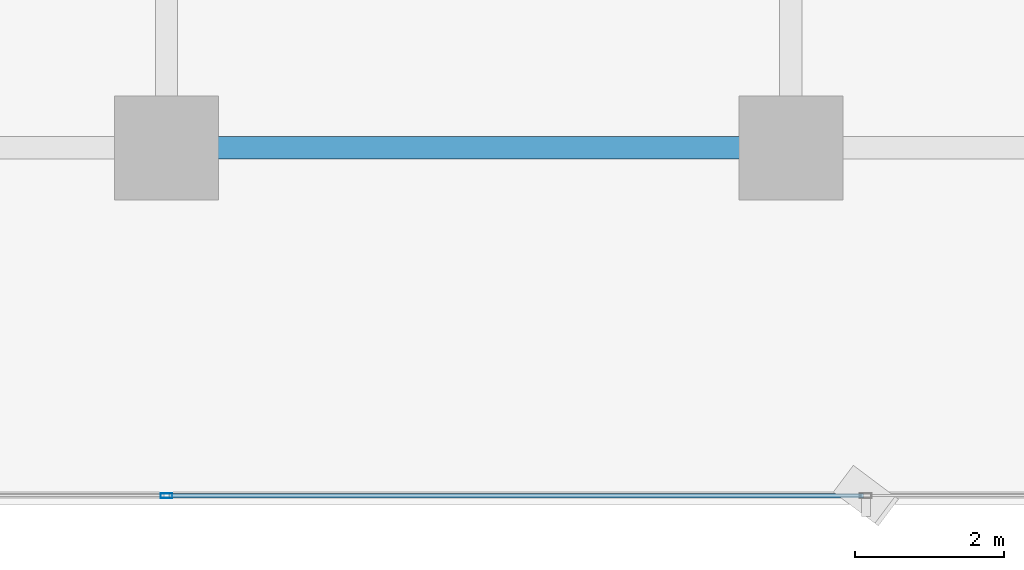
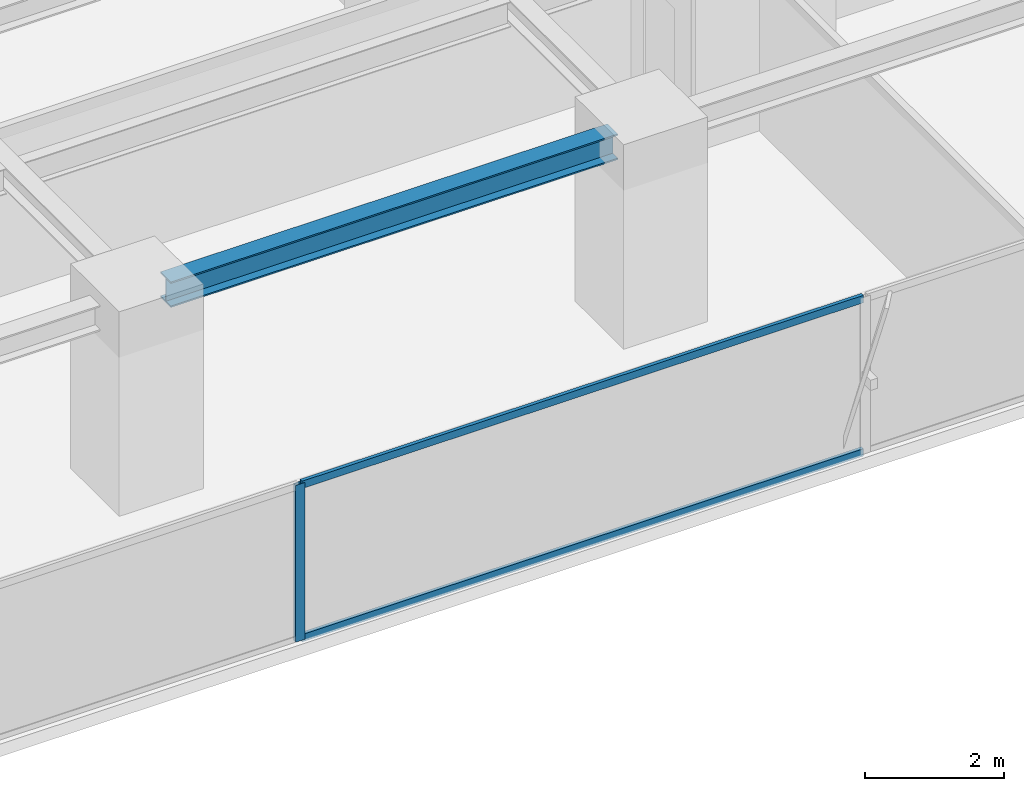
# One storey, part 5 of 28: 3 members, 1 beam, 1 element without a shape of its own.
"""IFC4 building model written with IfcOpenShell, lengths in metres."""

from ifc_helpers import new_model, si_unit, direction, frame, origin, origin_2d, place, context, subcontext, project, spatial, hollow_rectangle, i_section, extrude, source, transform, mapped, material, layer, layer_set, material_profile, profile_set, type_object, element, aggregate, save


model = new_model("IFC4")

# Units and contexts
model_context = context("Model", 3, precision=1e-05, world=origin(), true_north=direction((0.0, 1.0)))
body_context = subcontext(model_context, "Body", "Model", "MODEL_VIEW")
ifc_project = project(units=[si_unit("LENGTHUNIT", "METRE"), si_unit("AREAUNIT", "SQUARE_METRE"), si_unit("VOLUMEUNIT", "CUBIC_METRE"), si_unit("PLANEANGLEUNIT", "RADIAN"), si_unit("MASSUNIT", "GRAM", prefix="KILO")], contexts=[model_context])

# Site, building, storey
site_placement = place(None, origin())
site = spatial("IfcSite", under=ifc_project, at=site_placement, CompositionType="ELEMENT")
building_placement = place(site_placement, origin())
building = spatial("IfcBuilding", under=site, at=building_placement, Name="Sumidabori Civic Tower", CompositionType="ELEMENT")
storey_placement = place(building_placement, frame((0.0, 0.0, 182.0)))
storey = spatial("IfcBuildingStorey", under=building, at=storey_placement, Name="L47", CompositionType="ELEMENT", Elevation=182.0)

# Beam
ifc_material_1 = material(Name="Steel SN490", Category="steel")
ifc_material_profile_1 = material_profile(ifc_material_1, i_section(OverallWidth=0.300048828125, OverallDepth=0.449951171875, WebThickness=0.013916015625, FlangeThickness=0.02587890625, at=origin_2d()), Name="HE 450 B")
ifc_profile_set_1 = profile_set([ifc_material_profile_1], Name="Steel SN490")
beam_type = type_object("IfcBeamType", Name="BM-GIRD-450", PredefinedType="BEAM", material=ifc_profile_set_1)
shared_shape_1 = source(origin(), body_context, "Body", "SweptSolid", [
    extrude(i_section(OverallWidth=0.300048828125, OverallDepth=0.449951171875, WebThickness=0.013916015625, FlangeThickness=0.02587890625, at=origin_2d()), origin(), (0.0, 0.0, 1.0), 7.43994140625),
])
beam_placement = place(storey_placement, frame((0.47998046875, -18.0, 3.155029296875), z_axis=(1.0, 0.0, 0.0), x_axis=(0.0, 1.0, 0.0)))
element("IfcBeam", 1, at=beam_placement, inside=storey, type_object=beam_type, Name="Primary Girder L47 GX-03", PredefinedType="BEAM", context=body_context, shape_type="MappedRepresentation", body=[
    mapped(shared_shape_1, transform((0.0, 0.0, 0.0), x_axis=(1.0, 0.0, 0.0), y_axis=(0.0, 1.0, 0.0), z_axis=(0.0, 0.0, 1.0), scale=1.0)),
])

# Curtain wall, members
ifc_material_2 = material(Name="Anodised Bronze Aluminium AW-6063-T6", Category="aluminium")
ifc_layer = layer(ifc_material_2, 0.179931640625, Name="Anodised Bronze Aluminium AW-6063-T6")
ifc_layer_set = layer_set([ifc_layer], Name="Anodised Bronze Aluminium AW-6063-T6")
curtain_wall_type = type_object("IfcCurtainWallType", Name="CW-SYS-3", PredefinedType="NOTDEFINED", material=ifc_layer_set)
curtain_wall_placement = place(storey_placement, origin())
curtain_wall = element("IfcCurtainWall", 2, at=curtain_wall_placement, inside=storey, type_object=curtain_wall_type, Name="Curtain Wall CW:L47:R01", PredefinedType="NOTDEFINED")
ifc_material_profile_2 = material_profile(ifc_material_2, hollow_rectangle(XDim=0.06494140625, YDim=0.159912109375, WallThickness=0.0048828125, at=origin_2d()), Name="ALU MULLION 160x65")
ifc_profile_set_2 = profile_set([ifc_material_profile_2], Name="Anodised Bronze Aluminium AW-6063-T6")
member_type_1 = type_object("IfcMemberType", Name="CW-MUL-160", PredefinedType="MULLION", material=ifc_profile_set_2)
shared_shape_2 = source(origin(), body_context, "Body", "SweptSolid", [
    extrude(hollow_rectangle(XDim=0.06494140625, YDim=0.159912109375, WallThickness=0.0048828125, at=origin_2d()), origin(), (0.0, 0.0, 1.0), 2.760009765625),
])
member_1_placement = place(storey_placement, frame((0.0, -22.679931640625, 0.0), z_axis=(0.0, 0.0, 1.0), x_axis=(0.0, 1.0, 0.0)))
member_1 = element("IfcMember", 3, at=member_1_placement, type_object=member_type_1, Name="CW-3 mullion 3", PredefinedType="MULLION", context=body_context, shape_type="MappedRepresentation", body=[
    mapped(shared_shape_2, transform((0.0, 0.0, 0.0), x_axis=(1.0, 0.0, 0.0), y_axis=(0.0, 1.0, 0.0), z_axis=(0.0, 0.0, 1.0), scale=1.0)),
])
ifc_material_profile_3 = material_profile(ifc_material_2, hollow_rectangle(XDim=0.06005859375, YDim=0.1298828125, WallThickness=0.0048828125, at=origin_2d()), Name="ALU TRANSOM 130x60")
ifc_profile_set_3 = profile_set([ifc_material_profile_3], Name="Anodised Bronze Aluminium AW-6063-T6")
member_type_2 = type_object("IfcMemberType", Name="CW-TRN-130", PredefinedType="USERDEFINED", material=ifc_profile_set_3)
shared_shape_3 = source(origin(), body_context, "Body", "SweptSolid", [
    extrude(hollow_rectangle(XDim=0.06005859375, YDim=0.1298828125, WallThickness=0.0048828125, at=origin_2d()), origin(), (0.0, 0.0, 1.0), 9.344970703125),
])
member_2_placement = place(storey_placement, frame((0.032470703125, -22.679931640625, 0.030029296875), z_axis=(1.0, 0.0, 0.0), x_axis=(0.0, 1.0, 0.0)))
member_2 = element("IfcMember", 4, at=member_2_placement, type_object=member_type_2, Name="CW-3 transom 3.1", ObjectType="TRANSOM", PredefinedType="USERDEFINED", context=body_context, shape_type="MappedRepresentation", body=[
    mapped(shared_shape_3, transform((0.0, 0.0, 0.0), x_axis=(1.0, 0.0, 0.0), y_axis=(0.0, 1.0, 0.0), z_axis=(0.0, 0.0, 1.0), scale=1.0)),
])
member_3_placement = place(storey_placement, frame((0.032470703125, -22.679931640625, 2.72998046875), z_axis=(1.0, 0.0, 0.0), x_axis=(0.0, 1.0, 0.0)))
member_3 = element("IfcMember", 5, at=member_3_placement, type_object=member_type_2, Name="CW-3 transom 3.2", ObjectType="TRANSOM", PredefinedType="USERDEFINED", context=body_context, shape_type="MappedRepresentation", body=[
    mapped(shared_shape_3, transform((0.0, 0.0, 0.0), x_axis=(1.0, 0.0, 0.0), y_axis=(0.0, 1.0, 0.0), z_axis=(0.0, 0.0, 1.0), scale=1.0)),
])
aggregate(curtain_wall, [member_1, member_2, member_3])

save(model, "model.ifc")
